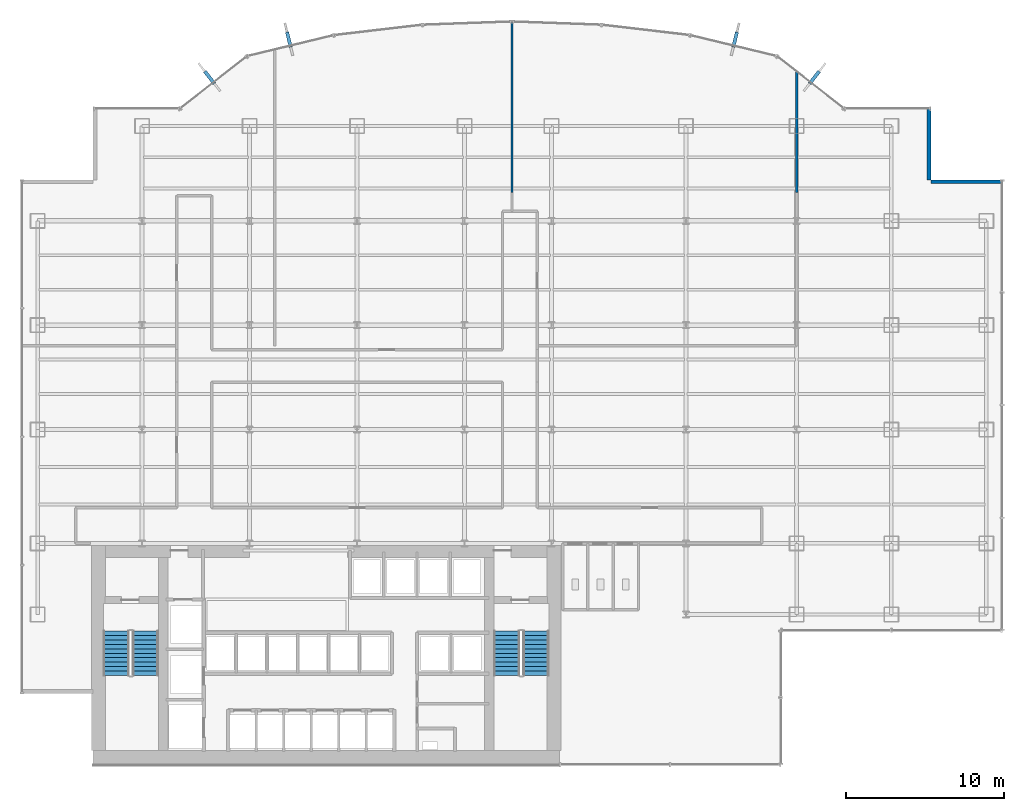
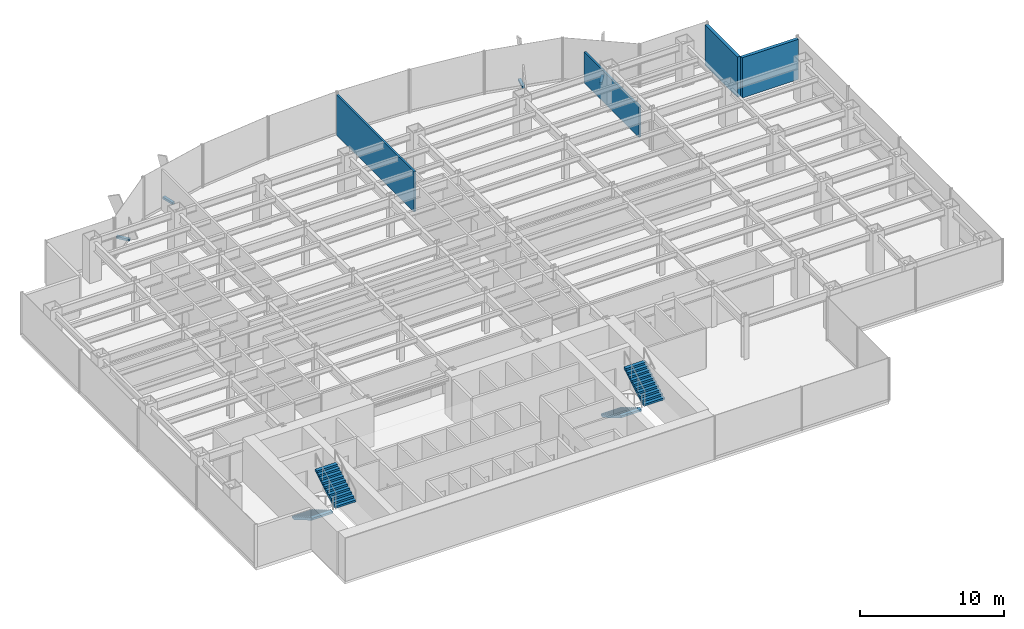
# One storey, part 19 of 22: 4 discrete accessories, 4 stair flights, 4 walls, 2 elements without a shape of their own.
"""IFC4 building model written with IfcOpenShell, lengths in metres."""

from ifc_helpers import new_model, si_unit, derived_unit, direction, frame, frame_2d, origin, origin_2d, place, context, subcontext, project, spatial, polyline, rectangle, outline, extrude, source, transform, mapped, material, layer, layer_set, type_object, element, aggregate, save


model = new_model("IFC4")

# Units and contexts
model_context = context("Model", 3, precision=1e-05, world=origin(), true_north=direction((0.0, 1.0)))
body_context = subcontext(model_context, "Body", "Model", "MODEL_VIEW")
ifc_project = project(units=[si_unit("LENGTHUNIT", "METRE"), si_unit("AREAUNIT", "SQUARE_METRE"), si_unit("VOLUMEUNIT", "CUBIC_METRE"), si_unit("PLANEANGLEUNIT", "RADIAN"), si_unit("MASSUNIT", "GRAM", prefix="KILO"), derived_unit("THERMALTRANSMITTANCEUNIT", [(si_unit("POWERUNIT", "WATT"), 1), (si_unit("LENGTHUNIT", "METRE"), -2), (si_unit("THERMODYNAMICTEMPERATUREUNIT", "KELVIN"), -1)])], contexts=[model_context])

# Site, building, storey
site_placement = place(None, origin())
site = spatial("IfcSite", under=ifc_project, at=site_placement, CompositionType="ELEMENT")
building_placement = place(site_placement, origin())
building = spatial("IfcBuilding", under=site, at=building_placement, Name="Skarnbrae Concourse Arena and Tower", CompositionType="ELEMENT")
storey_placement = place(building_placement, frame((0.0, 0.0, 61.699951171875)))
storey = spatial("IfcBuildingStorey", under=building, at=storey_placement, Name="L14", CompositionType="ELEMENT", Elevation=61.699951171875)

# Walls
ifc_material_1 = material(Name="Precast concrete 40 MPa (C40/50)", Category="concrete")
ifc_layer_1 = layer(ifc_material_1, 0.25)
ifc_layer_set_1 = layer_set([ifc_layer_1], Name="Precast concrete 40 MPa (C40/50)")
wall_type_1 = type_object("IfcWallType", Name="WALL-EXT-SPANDREL-250", PredefinedType="STANDARD", material=ifc_layer_set_1)
shared_shape_1 = source(origin(), body_context, "Body", "SweptSolid", [
    extrude(rectangle(XDim=4.5, YDim=0.25, at=frame_2d((2.25, 0.0))), origin(), (0.0, 0.0, 1.0), 3.400146484375),
])
for number, where, z_axis, x_axis, name in (
    (1, (62.0, 36.875, 0.0), (0.0, 0.0, 1.0), (-1.0, 0.0, 0.0), "L14 Notched corner insulated return wall 05"),
    (2, (57.375, 37.0, 0.0), (0.0, 0.0, 1.0), (0.0, 1.0, 0.0), "L14 Notched corner insulated return wall 06"),
):
    element("IfcWall", number, at=place(storey_placement, frame(where, z_axis=z_axis, x_axis=x_axis)), inside=storey, type_object=wall_type_1, Name=name, PredefinedType="STANDARD", context=body_context, shape_type="MappedRepresentation", body=[
        mapped(shared_shape_1, transform((0.0, 0.0, 0.0))),
    ])
ifc_material_2 = material(Name="Gypsum board on cold-formed steel studs", Category="steel")
ifc_layer_2 = layer(ifc_material_2, 0.14990234375)
ifc_layer_set_2 = layer_set([ifc_layer_2], Name="Gypsum board on cold-formed steel studs")
wall_type_2 = type_object("IfcWallType", Name="WALL-PART-150", PredefinedType="PARTITIONING", material=ifc_layer_set_2)
shared_shape_2 = source(origin(), body_context, "Body", "SweptSolid", [
    extrude(rectangle(XDim=10.780029296875, YDim=0.14990234375, at=frame_2d((5.39013671875, 0.0))), origin(), (0.0, 0.0, 1.0), 3.400146484375),
])
wall_1_placement = place(storey_placement, frame((31.0, 46.97998046875, 0.0), z_axis=(0.0, 0.0, 1.0), x_axis=(0.0, -1.0, 0.0)))
element("IfcWall", 3, at=wall_1_placement, inside=storey, type_object=wall_type_2, Name="L14 Interior partition wall W-L14-DEM-25", PredefinedType="PARTITIONING", context=body_context, shape_type="MappedRepresentation", body=[
    mapped(shared_shape_2, transform((0.0, 0.0, 0.0))),
])
shared_shape_3 = source(origin(), body_context, "Body", "SweptSolid", [
    extrude(rectangle(XDim=7.621337890625, YDim=0.14990234375, at=frame_2d((3.810546875, 0.0))), origin(), (0.0, 0.0, 1.0), 2.625),
])
wall_2_placement = place(storey_placement, frame((49.0, 43.8212890625, 0.0), z_axis=(0.0, 0.0, 1.0), x_axis=(0.0, -1.0, 0.0)))
element("IfcWall", 4, at=wall_2_placement, inside=storey, type_object=wall_type_2, Name="L14 Interior partition wall W-L14-DEM-27", PredefinedType="PARTITIONING", context=body_context, shape_type="MappedRepresentation", body=[
    mapped(shared_shape_3, transform((0.0, 0.0, 0.0))),
])

# Stair, stair flights
ifc_material_3 = material(Name="Concrete 40 MPa (C40/50)", Category="concrete")
stair_type = type_object("IfcStairType", Name="STAIR-DOGLEG-1650", PredefinedType="HALF_TURN_STAIR", material=ifc_material_3)
stair_1_placement = place(storey_placement, origin())
stair_1 = element("IfcStair", 5, at=stair_1_placement, inside=storey, type_object=stair_type, Name="L14 Protected Exit Stair ST-1", PredefinedType="HALF_TURN_STAIR")
stair_flight_type = type_object("IfcStairFlightType", Name="FLIGHT-STRAIGHT-1650", PredefinedType="STRAIGHT", material=ifc_material_3)
shared_shape_4 = source(origin(), body_context, "Body", "SweptSolid", [
    extrude(outline(polyline([(0.0, 0.0), (0.0, 0.166015625), (0.280029296875, 0.166015625), (0.280029296875, 0.331787109375), (0.56005859375, 0.331787109375), (0.56005859375, 0.497802734375), (0.840087890625, 0.497802734375), (0.840087890625, 0.66357421875), (1.1201171875, 0.66357421875), (1.1201171875, 0.82958984375), (1.39990234375, 0.82958984375), (1.39990234375, 0.995361328125), (1.679931640625, 0.995361328125), (1.679931640625, 1.161376953125), (1.9599609375, 1.161376953125), (1.9599609375, 1.327392578125), (2.239990234375, 1.327392578125), (2.239990234375, 1.4931640625), (2.52001953125, 1.4931640625), (2.52001953125, 1.6591796875), (2.800048828125, 1.6591796875), (2.800048828125, 1.824951171875), (2.800048828125, 1.48486328125), (0.2939453125, 0.0), (0.0, 0.0)])), frame((0.0, 0.824951171875, 0.0), z_axis=(0.0, -1.0, 0.0), x_axis=(1.0, 0.0, 0.0)), (0.0, 0.0, 1.0), 1.64990234375),
])
stair_flight_1_placement = place(storey_placement, frame((5.97509765625, 8.449951171875, 0.0), z_axis=(0.0, 0.0, 1.0), x_axis=(0.0, -1.0, 0.0)))
stair_flight_1 = element("IfcStairFlight", 6, at=stair_flight_1_placement, type_object=stair_flight_type, Name="ST-1 flight 1", NumberOfRisers=11, NumberOfTreads=10, PredefinedType="STRAIGHT", RiserHeight=0.165909091, TreadLength=0.28, context=body_context, shape_type="MappedRepresentation", body=[
    mapped(shared_shape_4, transform((0.0, 0.0, 0.0))),
])
stair_flight_2_placement = place(storey_placement, frame((7.824951171875, 5.64990234375, 1.824951171875), z_axis=(0.0, 0.0, 1.0), x_axis=(0.0, 1.0, 0.0)))
stair_flight_2 = element("IfcStairFlight", 7, at=stair_flight_2_placement, type_object=stair_flight_type, Name="ST-1 flight 2", NumberOfRisers=11, NumberOfTreads=10, PredefinedType="STRAIGHT", RiserHeight=0.165909091, TreadLength=0.28, context=body_context, shape_type="MappedRepresentation", body=[
    mapped(shared_shape_4, transform((0.0, 0.0, 0.0))),
])
aggregate(stair_1, [stair_flight_1, stair_flight_2])

stair_2_placement = place(storey_placement, origin())
stair_2 = element("IfcStair", 8, at=stair_2_placement, inside=storey, type_object=stair_type, Name="L14 Protected Exit Stair ST-2", PredefinedType="HALF_TURN_STAIR")
stair_flight_3_placement = place(storey_placement, frame((30.675048828125, 8.449951171875, 0.0), z_axis=(0.0, 0.0, 1.0), x_axis=(0.0, -1.0, 0.0)))
stair_flight_3 = element("IfcStairFlight", 9, at=stair_flight_3_placement, type_object=stair_flight_type, Name="ST-2 flight 1", NumberOfRisers=11, NumberOfTreads=10, PredefinedType="STRAIGHT", RiserHeight=0.165909091, TreadLength=0.28, context=body_context, shape_type="MappedRepresentation", body=[
    mapped(shared_shape_4, transform((0.0, 0.0, 0.0))),
])
stair_flight_4_placement = place(storey_placement, frame((32.52490234375, 5.64990234375, 1.824951171875), z_axis=(0.0, 0.0, 1.0), x_axis=(0.0, 1.0, 0.0)))
stair_flight_4 = element("IfcStairFlight", 10, at=stair_flight_4_placement, type_object=stair_flight_type, Name="ST-2 flight 2", NumberOfRisers=11, NumberOfTreads=10, PredefinedType="STRAIGHT", RiserHeight=0.165909091, TreadLength=0.28, context=body_context, shape_type="MappedRepresentation", body=[
    mapped(shared_shape_4, transform((0.0, 0.0, 0.0))),
])
aggregate(stair_2, [stair_flight_3, stair_flight_4])

# Discrete accessories
ifc_material_4 = material(Name="Bronze anodised aluminium 6063-T6", Category="aluminium")
discrete_accessory_type = type_object("IfcDiscreteAccessoryType", Name="ACC-FIN-BRACKET", PredefinedType="BRACKET", material=ifc_material_4)
shared_shape_5 = source(origin(), body_context, "Body", "SweptSolid", [
    extrude(rectangle(XDim=0.219970703125, YDim=0.97998046875, at=origin_2d()), origin(), (0.0, 0.0, 1.0), 0.179931640625),
])
for number, where, z_axis, x_axis, name in (
    (11, (50.129638671875, 43.470947265625, -0.02978515625), (0.0, 0.0, 1.0), (0.787656027369, -0.616115234797, 0.0), "L14 Bronze fin foot support bracket 08"),
    (12, (45.11328125, 45.864990234375, -0.02978515625), (0.0, 0.0, 1.0), (0.971973311258, -0.235091221021, 0.0), "L14 Bronze fin foot support bracket 09"),
    (13, (16.88671875, 45.864990234375, -0.02978515625), (0.0, 0.0, 1.0), (0.971973311258, 0.235091221021, 0.0), "L14 Bronze fin foot support bracket 14"),
    (14, (11.870361328125, 43.470947265625, -0.02978515625), (0.0, 0.0, 1.0), (0.787656027369, 0.616115234797, 0.0), "L14 Bronze fin foot support bracket 15"),
):
    element("IfcDiscreteAccessory", number, at=place(storey_placement, frame(where, z_axis=z_axis, x_axis=x_axis)), inside=storey, type_object=discrete_accessory_type, Name=name, PredefinedType="BRACKET", context=body_context, shape_type="MappedRepresentation", body=[
        mapped(shared_shape_5, transform((0.0, 0.0, 0.0))),
    ])

save(model, "model.ifc")
